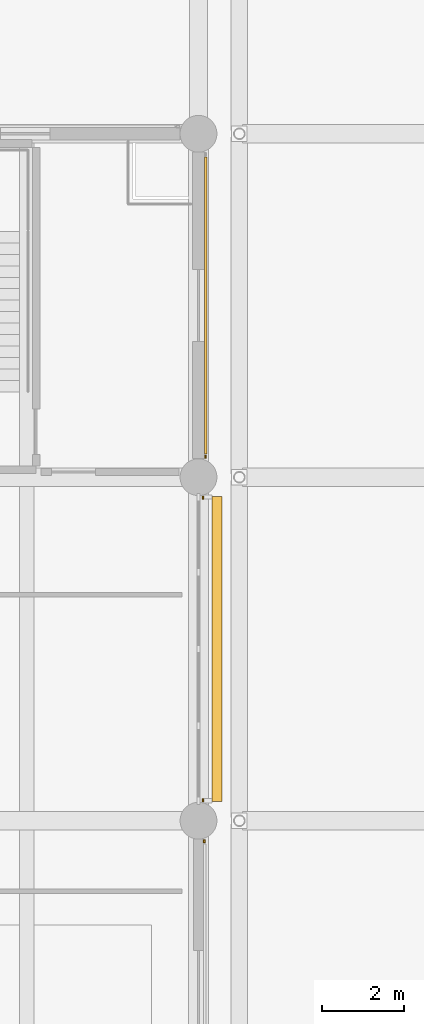
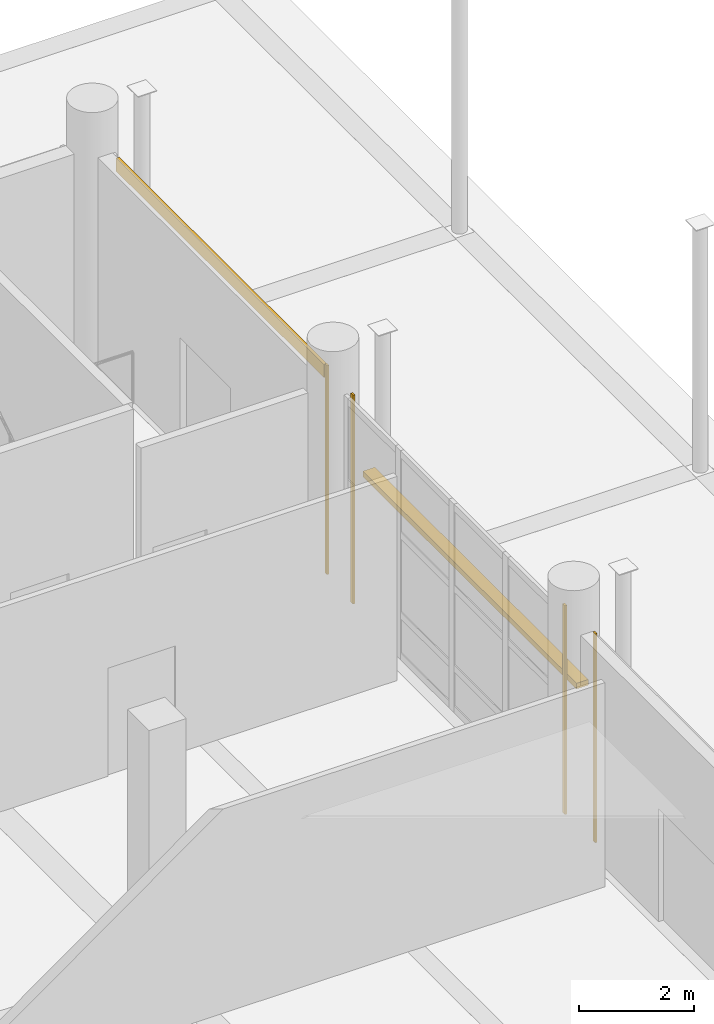
# One storey, part 111 of 140: 5 coverings, 1 shading device.
"""IFC4 building model written with IfcOpenShell, lengths in metres."""

from ifc_helpers import new_model, si_unit, direction, frame, origin, origin_2d, place, context, subcontext, project, spatial, rectangle, extrude, material, layer, layer_set, type_object, element, save


model = new_model("IFC4")

# Units and contexts
model_context = context("Model", 3, precision=1e-05, world=origin(), true_north=direction((0.0, 1.0)))
body_context = subcontext(model_context, "Body", "Model", "MODEL_VIEW")
ifc_project = project(units=[si_unit("LENGTHUNIT", "METRE"), si_unit("AREAUNIT", "SQUARE_METRE"), si_unit("VOLUMEUNIT", "CUBIC_METRE"), si_unit("PLANEANGLEUNIT", "RADIAN"), si_unit("MASSUNIT", "GRAM", prefix="KILO")], contexts=[model_context])

# Site, building, storey
site_placement = place(None, origin())
site = spatial("IfcSite", under=ifc_project, at=site_placement, CompositionType="ELEMENT")
building_placement = place(site_placement, origin())
building = spatial("IfcBuilding", under=site, at=building_placement, Name="Telukmera Botanical Conservatory", CompositionType="ELEMENT")
storey_placement = place(building_placement, origin())
storey = spatial("IfcBuildingStorey", under=building, at=storey_placement, Name="L00", CompositionType="ELEMENT", Elevation=0.0)

# Coverings
ifc_material_1 = material(Name="Granite-faced precast concrete C40/50", Category="masonry")
ifc_layer_1 = layer(ifc_material_1, 0.0400390625)
ifc_layer_set_1 = layer_set([ifc_layer_1], Name="Granite-faced precast concrete C40/50")
covering_type_1 = type_object("IfcCoveringType", Name="Granite Precast Column Pier Reveal Casing", PredefinedType="CLADDING", material=ifc_layer_set_1)
for number, where, z_axis, x_axis, name in (
    (1, (42.139892578125, 57.498046875, 0.0), (0.0, 0.0, 1.0), (0.0, 1.0, 0.0), "Granite Pier Reveal V3:L00:E5 R"),
    (2, (42.110107421875, 58.501953125, 0.0), (0.0, 0.0, 1.0), (0.0, 1.0, 0.0), "Granite Pier Reveal V3:L00:E6 L"),
    (3, (42.110107421875, 65.89794921875, 0.0), (0.0, 0.0, 1.0), (0.0, 1.0, 0.0), "Granite Pier Reveal V3:L00:E6 R"),
    (4, (42.169921875, 66.902099609375, 0.0), (0.0, 0.0, 1.0), (0.0, 1.0, 0.0), "Granite Pier Reveal V3:L00:E7 L"),
):
    element("IfcCovering", number, at=place(storey_placement, frame(where, z_axis=z_axis, x_axis=x_axis)), inside=storey, type_object=covering_type_1, Name=name, PredefinedType="CLADDING", context=body_context, shape_type="SweptSolid", body=[
        extrude(rectangle(XDim=0.080078125, YDim=0.0400390625, at=origin_2d()), origin(), (0.0, 0.0, 1.0), 4.449951171875),
    ])

# Shading device
ifc_material_2 = material(Name="Perforated terracotta-anodised aluminium 6063-T6", Category="masonry")
ifc_layer_2 = layer(ifc_material_2, 0.044921875)
ifc_layer_set_2 = layer_set([ifc_layer_2], Name="Perforated terracotta-anodised aluminium 6063-T6")
shading_device_type = type_object("IfcShadingDeviceType", Name="Perforated Terracotta Aluminium Monsoon Brise Soleil", PredefinedType="JALOUSIE", material=ifc_layer_set_2)
shading_device_placement = place(storey_placement, frame((42.449951171875, 62.199951171875, 2.58984375), z_axis=(0.0, 0.0, 1.0), x_axis=(0.0, 1.0, 0.0)))
element("IfcShadingDevice", 5, at=shading_device_placement, inside=storey, type_object=shading_device_type, Name="Monsoon Shading BS01 V3:L00:E6", PredefinedType="JALOUSIE", context=body_context, shape_type="SweptSolid", body=[
    extrude(rectangle(XDim=7.4560546875, YDim=0.239990234375, at=origin_2d()), origin(), (0.0, 0.0, 1.0), 0.1201171875),
])

# Covering
ifc_material_3 = material(Name="Terracotta-faced precast concrete C40/50", Category="masonry")
ifc_layer_3 = layer(ifc_material_3, 0.06005859375)
ifc_layer_set_3 = layer_set([ifc_layer_3], Name="Terracotta-faced precast concrete C40/50")
covering_type_2 = type_object("IfcCoveringType", Name="Polychrome Terracotta Facade Band Cladding", PredefinedType="CLADDING", material=ifc_layer_set_3)
covering_placement = place(storey_placement, frame((42.179931640625, 70.60009765625, 4.1298828125), z_axis=(0.0, 0.0, 1.0), x_axis=(0.0, 1.0, 0.0)))
element("IfcCovering", 6, at=covering_placement, inside=storey, type_object=covering_type_2, Name="Polychrome Terracotta Band V3:L00:E7", PredefinedType="CLADDING", context=body_context, shape_type="SweptSolid", body=[
    extrude(rectangle(XDim=7.256103515625, YDim=0.06005859375, at=origin_2d()), origin(), (0.0, 0.0, 1.0), 0.280029296875),
])

save(model, "model.ifc")
